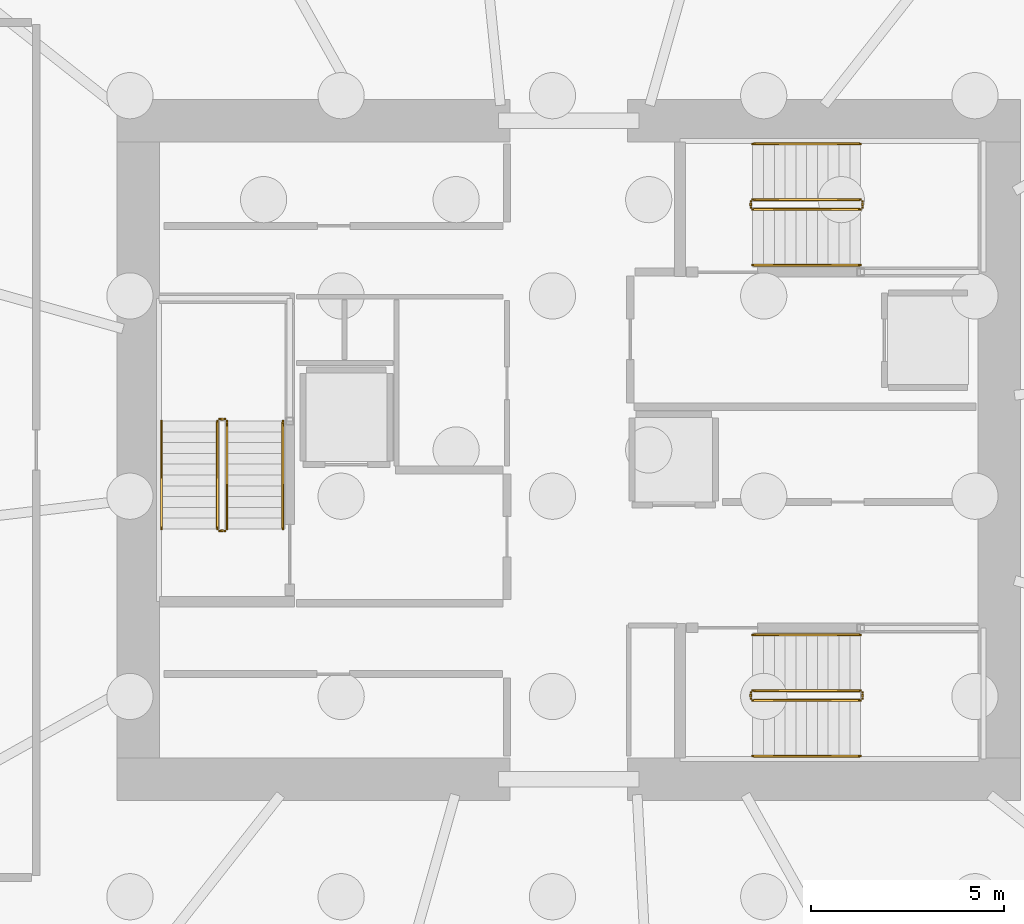
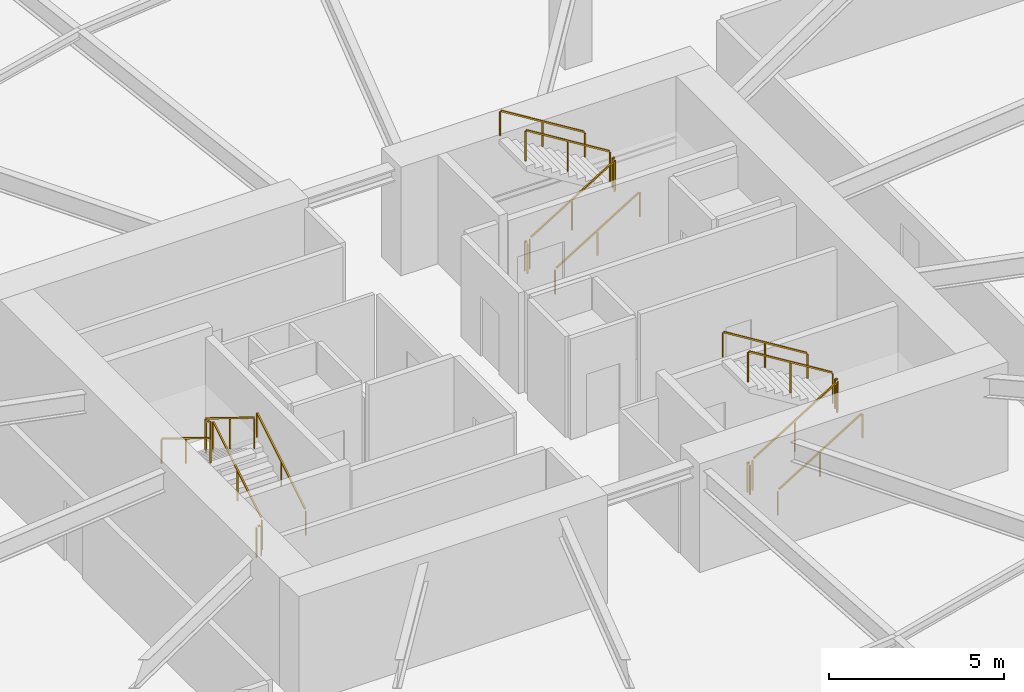
# One storey, part 11 of 12: 18 railings.
"""IFC4 building model written with IfcOpenShell, lengths in metres."""

from ifc_helpers import new_model, si_unit, direction, frame, origin, origin_2d, place, context, subcontext, project, spatial, rectangle, extrude, material, type_object, element, save


model = new_model("IFC4")

# Units and contexts
model_context = context("Model", 3, precision=1e-05, world=origin(), true_north=direction((0.0, 1.0)))
body_context = subcontext(model_context, "Body", "Model", "MODEL_VIEW")
ifc_project = project(units=[si_unit("LENGTHUNIT", "METRE"), si_unit("AREAUNIT", "SQUARE_METRE"), si_unit("VOLUMEUNIT", "CUBIC_METRE"), si_unit("PLANEANGLEUNIT", "RADIAN"), si_unit("MASSUNIT", "GRAM", prefix="KILO")], contexts=[model_context])

# Site, building, storey
site_placement = place(None, origin())
site = spatial("IfcSite", under=ifc_project, at=site_placement, CompositionType="ELEMENT")
building_placement = place(site_placement, origin())
building = spatial("IfcBuilding", under=site, at=building_placement, Name="Kazma Halo Residences", CompositionType="ELEMENT")
storey_placement = place(building_placement, frame((0.0, 0.0, -7.60009765625)))
storey = spatial("IfcBuildingStorey", under=building, at=storey_placement, Name="B02", CompositionType="ELEMENT", Elevation=-7.60009765625)

# Railings
ifc_material_1 = material(Name="Painted Steel S355", Category="steel")
railing_type_1 = type_object("IfcRailingType", Name="RLG-STAIR-GRD-1100", PredefinedType="GUARDRAIL", material=ifc_material_1)
railing_1_placement = place(storey_placement, frame((39.550048828125, 39.949951171875, 0.1728515625)))
element("IfcRailing", 1, at=railing_1_placement, inside=storey, type_object=railing_type_1, Name="B02 ST-01 stair guard 1", PredefinedType="GUARDRAIL", context=body_context, shape_type="SweptSolid", body=[
    extrude(rectangle(XDim=0.050048828125, YDim=0.050048828125, at=origin_2d()), frame((0.0, 0.0361328125, 1.097412109375), z_axis=(0.0, 0.851089632645, 0.525020415988), x_axis=(-1.0, 0.0, 0.0)), (0.0, 0.0, 1.0), 3.204833984375),
    extrude(rectangle(XDim=0.0400390625, YDim=0.0400390625, at=origin_2d()), origin(), (0.0, 0.0, 1.0), 1.0380859375),
    extrude(rectangle(XDim=0.0400390625, YDim=0.0400390625, at=origin_2d()), frame((0.0, 1.39990234375, 0.86376953125)), (0.0, 0.0, 1.0), 1.0380859375),
    extrude(rectangle(XDim=0.0400390625, YDim=0.0400390625, at=origin_2d()), frame((0.0, 2.800048828125, 1.727294921875)), (0.0, 0.0, 1.0), 1.0380859375),
])
railing_2_placement = place(storey_placement, frame((39.5, 42.800048828125, 1.900146484375)))
element("IfcRailing", 2, at=railing_2_placement, inside=storey, type_object=railing_type_1, Name="B02 ST-01 stair guard 2", PredefinedType="GUARDRAIL", context=body_context, shape_type="SweptSolid", body=[
    extrude(rectangle(XDim=0.050048828125, YDim=0.050048828125, at=origin_2d()), frame((-0.04248046875, 0.0, 1.0751953125), z_axis=(-1.0, 0.0, 0.0), x_axis=(0.0, -1.0, 0.0)), (0.0, 0.0, 1.0), 0.06494140625),
    extrude(rectangle(XDim=0.0400390625, YDim=0.0400390625, at=origin_2d()), origin(), (0.0, 0.0, 1.0), 1.0380859375),
    extrude(rectangle(XDim=0.0400390625, YDim=0.0400390625, at=origin_2d()), frame((-0.14990234375, 0.0, 0.0)), (0.0, 0.0, 1.0), 1.0380859375),
])
railing_3_placement = place(storey_placement, frame((39.300048828125, 42.75, 2.07275390625)))
element("IfcRailing", 3, at=railing_3_placement, inside=storey, type_object=railing_type_1, Name="B02 ST-01 stair guard 3", PredefinedType="GUARDRAIL", context=body_context, shape_type="SweptSolid", body=[
    extrude(rectangle(XDim=0.050048828125, YDim=0.050048828125, at=origin_2d()), frame((0.0, -0.0361328125, 1.097412109375), z_axis=(0.0, -0.851089632645, 0.525020415988), x_axis=(1.0, 0.0, 0.0)), (0.0, 0.0, 1.0), 3.204833984375),
    extrude(rectangle(XDim=0.0400390625, YDim=0.0400390625, at=origin_2d()), origin(), (0.0, 0.0, 1.0), 1.0380859375),
    extrude(rectangle(XDim=0.0400390625, YDim=0.0400390625, at=origin_2d()), frame((0.0, -1.39990234375, 0.86376953125)), (0.0, 0.0, 1.0), 1.0380859375),
    extrude(rectangle(XDim=0.0400390625, YDim=0.0400390625, at=origin_2d()), frame((0.0, -2.800048828125, 1.727294921875)), (0.0, 0.0, 1.0), 1.0380859375),
])
railing_4_placement = place(storey_placement, frame((39.5, 39.89990234375, 0.0)))
element("IfcRailing", 4, at=railing_4_placement, inside=storey, type_object=railing_type_1, Name="B02 ST-01 stair guard 4", PredefinedType="GUARDRAIL", context=body_context, shape_type="SweptSolid", body=[
    extrude(rectangle(XDim=0.050048828125, YDim=0.050048828125, at=origin_2d()), frame((-0.04248046875, 0.0, 1.0751953125), z_axis=(-1.0, 0.0, 0.0), x_axis=(0.0, -1.0, 0.0)), (0.0, 0.0, 1.0), 0.06494140625),
    extrude(rectangle(XDim=0.0400390625, YDim=0.0400390625, at=origin_2d()), origin(), (0.0, 0.0, 1.0), 1.0380859375),
    extrude(rectangle(XDim=0.0400390625, YDim=0.0400390625, at=origin_2d()), frame((-0.14990234375, 0.0, 0.0)), (0.0, 0.0, 1.0), 1.0380859375),
])
railing_5_placement = place(storey_placement, frame((53.199951171875, 48.25, 0.1728515625)))
element("IfcRailing", 5, at=railing_5_placement, inside=storey, type_object=railing_type_1, Name="B02 ST-02 stair guard 1", PredefinedType="GUARDRAIL", context=body_context, shape_type="SweptSolid", body=[
    extrude(rectangle(XDim=0.050048828125, YDim=0.050048828125, at=origin_2d()), frame((0.0361328125, 0.0, 1.097412109375), z_axis=(0.851089632645, 0.0, 0.525020415988), x_axis=(0.0, 1.0, 0.0)), (0.0, 0.0, 1.0), 3.204833984375),
    extrude(rectangle(XDim=0.0400390625, YDim=0.0400390625, at=origin_2d()), origin(), (0.0, 0.0, 1.0), 1.0380859375),
    extrude(rectangle(XDim=0.0400390625, YDim=0.0400390625, at=origin_2d()), frame((1.39990234375, 0.0, 0.86376953125)), (0.0, 0.0, 1.0), 1.0380859375),
    extrude(rectangle(XDim=0.0400390625, YDim=0.0400390625, at=origin_2d()), frame((2.800048828125, 0.0, 1.727294921875)), (0.0, 0.0, 1.0), 1.0380859375),
])
railing_6_placement = place(storey_placement, frame((56.050048828125, 48.300048828125, 1.900146484375)))
element("IfcRailing", 6, at=railing_6_placement, inside=storey, type_object=railing_type_1, Name="B02 ST-02 stair guard 2", PredefinedType="GUARDRAIL", context=body_context, shape_type="SweptSolid", body=[
    extrude(rectangle(XDim=0.050048828125, YDim=0.050048828125, at=origin_2d()), frame((0.0, 0.04248046875, 1.0751953125), z_axis=(0.0, 1.0, 0.0), x_axis=(-1.0, 0.0, 0.0)), (0.0, 0.0, 1.0), 0.06494140625),
    extrude(rectangle(XDim=0.0400390625, YDim=0.0400390625, at=origin_2d()), origin(), (0.0, 0.0, 1.0), 1.0380859375),
    extrude(rectangle(XDim=0.0400390625, YDim=0.0400390625, at=origin_2d()), frame((0.0, 0.14990234375, 0.0)), (0.0, 0.0, 1.0), 1.0380859375),
])
railing_7_placement = place(storey_placement, frame((56.0, 48.5, 2.07275390625)))
element("IfcRailing", 7, at=railing_7_placement, inside=storey, type_object=railing_type_1, Name="B02 ST-02 stair guard 3", PredefinedType="GUARDRAIL", context=body_context, shape_type="SweptSolid", body=[
    extrude(rectangle(XDim=0.050048828125, YDim=0.050048828125, at=origin_2d()), frame((-0.0361328125, 0.0, 1.097412109375), z_axis=(-0.851089632645, 0.0, 0.525020415988), x_axis=(0.0, -1.0, 0.0)), (0.0, 0.0, 1.0), 3.204833984375),
    extrude(rectangle(XDim=0.0400390625, YDim=0.0400390625, at=origin_2d()), origin(), (0.0, 0.0, 1.0), 1.0380859375),
    extrude(rectangle(XDim=0.0400390625, YDim=0.0400390625, at=origin_2d()), frame((-1.39990234375, 0.0, 0.86376953125)), (0.0, 0.0, 1.0), 1.0380859375),
    extrude(rectangle(XDim=0.0400390625, YDim=0.0400390625, at=origin_2d()), frame((-2.800048828125, 0.0, 1.727294921875)), (0.0, 0.0, 1.0), 1.0380859375),
])
railing_8_placement = place(storey_placement, frame((53.14990234375, 48.300048828125, 0.0)))
element("IfcRailing", 8, at=railing_8_placement, inside=storey, type_object=railing_type_1, Name="B02 ST-02 stair guard 4", PredefinedType="GUARDRAIL", context=body_context, shape_type="SweptSolid", body=[
    extrude(rectangle(XDim=0.050048828125, YDim=0.050048828125, at=origin_2d()), frame((0.0, 0.04248046875, 1.0751953125), z_axis=(0.0, 1.0, 0.0), x_axis=(-1.0, 0.0, 0.0)), (0.0, 0.0, 1.0), 0.06494140625),
    extrude(rectangle(XDim=0.0400390625, YDim=0.0400390625, at=origin_2d()), origin(), (0.0, 0.0, 1.0), 1.0380859375),
    extrude(rectangle(XDim=0.0400390625, YDim=0.0400390625, at=origin_2d()), frame((0.0, 0.14990234375, 0.0)), (0.0, 0.0, 1.0), 1.0380859375),
])
railing_9_placement = place(storey_placement, frame((53.199951171875, 35.5, 0.1728515625)))
element("IfcRailing", 9, at=railing_9_placement, inside=storey, type_object=railing_type_1, Name="B02 ST-03 stair guard 1", PredefinedType="GUARDRAIL", context=body_context, shape_type="SweptSolid", body=[
    extrude(rectangle(XDim=0.050048828125, YDim=0.050048828125, at=origin_2d()), frame((0.0361328125, 0.0, 1.097412109375), z_axis=(0.851089632645, 0.0, 0.525020415988), x_axis=(0.0, 1.0, 0.0)), (0.0, 0.0, 1.0), 3.204833984375),
    extrude(rectangle(XDim=0.0400390625, YDim=0.0400390625, at=origin_2d()), origin(), (0.0, 0.0, 1.0), 1.0380859375),
    extrude(rectangle(XDim=0.0400390625, YDim=0.0400390625, at=origin_2d()), frame((1.39990234375, 0.0, 0.86376953125)), (0.0, 0.0, 1.0), 1.0380859375),
    extrude(rectangle(XDim=0.0400390625, YDim=0.0400390625, at=origin_2d()), frame((2.800048828125, 0.0, 1.727294921875)), (0.0, 0.0, 1.0), 1.0380859375),
])
railing_10_placement = place(storey_placement, frame((56.050048828125, 35.550048828125, 1.900146484375)))
element("IfcRailing", 10, at=railing_10_placement, inside=storey, type_object=railing_type_1, Name="B02 ST-03 stair guard 2", PredefinedType="GUARDRAIL", context=body_context, shape_type="SweptSolid", body=[
    extrude(rectangle(XDim=0.050048828125, YDim=0.050048828125, at=origin_2d()), frame((0.0, 0.04248046875, 1.0751953125), z_axis=(0.0, 1.0, 0.0), x_axis=(-1.0, 0.0, 0.0)), (0.0, 0.0, 1.0), 0.06494140625),
    extrude(rectangle(XDim=0.0400390625, YDim=0.0400390625, at=origin_2d()), origin(), (0.0, 0.0, 1.0), 1.0380859375),
    extrude(rectangle(XDim=0.0400390625, YDim=0.0400390625, at=origin_2d()), frame((0.0, 0.14990234375, 0.0)), (0.0, 0.0, 1.0), 1.0380859375),
])
railing_11_placement = place(storey_placement, frame((56.0, 35.75, 2.07275390625)))
element("IfcRailing", 11, at=railing_11_placement, inside=storey, type_object=railing_type_1, Name="B02 ST-03 stair guard 3", PredefinedType="GUARDRAIL", context=body_context, shape_type="SweptSolid", body=[
    extrude(rectangle(XDim=0.050048828125, YDim=0.050048828125, at=origin_2d()), frame((-0.0361328125, 0.0, 1.097412109375), z_axis=(-0.851089632645, 0.0, 0.525020415988), x_axis=(0.0, -1.0, 0.0)), (0.0, 0.0, 1.0), 3.204833984375),
    extrude(rectangle(XDim=0.0400390625, YDim=0.0400390625, at=origin_2d()), origin(), (0.0, 0.0, 1.0), 1.0380859375),
    extrude(rectangle(XDim=0.0400390625, YDim=0.0400390625, at=origin_2d()), frame((-1.39990234375, 0.0, 0.86376953125)), (0.0, 0.0, 1.0), 1.0380859375),
    extrude(rectangle(XDim=0.0400390625, YDim=0.0400390625, at=origin_2d()), frame((-2.800048828125, 0.0, 1.727294921875)), (0.0, 0.0, 1.0), 1.0380859375),
])
railing_12_placement = place(storey_placement, frame((53.14990234375, 35.550048828125, 0.0)))
element("IfcRailing", 12, at=railing_12_placement, inside=storey, type_object=railing_type_1, Name="B02 ST-03 stair guard 4", PredefinedType="GUARDRAIL", context=body_context, shape_type="SweptSolid", body=[
    extrude(rectangle(XDim=0.050048828125, YDim=0.050048828125, at=origin_2d()), frame((0.0, 0.04248046875, 1.0751953125), z_axis=(0.0, 1.0, 0.0), x_axis=(-1.0, 0.0, 0.0)), (0.0, 0.0, 1.0), 0.06494140625),
    extrude(rectangle(XDim=0.0400390625, YDim=0.0400390625, at=origin_2d()), origin(), (0.0, 0.0, 1.0), 1.0380859375),
    extrude(rectangle(XDim=0.0400390625, YDim=0.0400390625, at=origin_2d()), frame((0.0, 0.14990234375, 0.0)), (0.0, 0.0, 1.0), 1.0380859375),
])
ifc_material_2 = material(Name="Brushed Stainless Steel", Category="steel")
railing_type_2 = type_object("IfcRailingType", Name="RLG-STAIR-HND-900", PredefinedType="HANDRAIL", material=ifc_material_2)
railing_13_placement = place(storey_placement, frame((41.0, 39.949951171875, 0.1728515625)))
element("IfcRailing", 13, at=railing_13_placement, inside=storey, type_object=railing_type_2, Name="B02 ST-01 stair handrail 1", PredefinedType="HANDRAIL", context=body_context, shape_type="SweptSolid", body=[
    extrude(rectangle(XDim=0.050048828125, YDim=0.050048828125, at=origin_2d()), frame((0.0, 0.0361328125, 0.897216796875), z_axis=(0.0, 0.851089632645, 0.525020415988), x_axis=(-1.0, 0.0, 0.0)), (0.0, 0.0, 1.0), 3.204833984375),
    extrude(rectangle(XDim=0.0400390625, YDim=0.0400390625, at=origin_2d()), origin(), (0.0, 0.0, 1.0), 0.837890625),
    extrude(rectangle(XDim=0.0400390625, YDim=0.0400390625, at=origin_2d()), frame((0.0, 1.39990234375, 0.86376953125)), (0.0, 0.0, 1.0), 0.837890625),
    extrude(rectangle(XDim=0.0400390625, YDim=0.0400390625, at=origin_2d()), frame((0.0, 2.800048828125, 1.727294921875)), (0.0, 0.0, 1.0), 0.837890625),
])
railing_14_placement = place(storey_placement, frame((37.85009765625, 42.75, 2.07275390625)))
element("IfcRailing", 14, at=railing_14_placement, inside=storey, type_object=railing_type_2, Name="B02 ST-01 stair handrail 2", PredefinedType="HANDRAIL", context=body_context, shape_type="SweptSolid", body=[
    extrude(rectangle(XDim=0.050048828125, YDim=0.050048828125, at=origin_2d()), frame((0.0, -0.0361328125, 0.897216796875), z_axis=(0.0, -0.851089632645, 0.525020415988), x_axis=(1.0, 0.0, 0.0)), (0.0, 0.0, 1.0), 3.204833984375),
    extrude(rectangle(XDim=0.0400390625, YDim=0.0400390625, at=origin_2d()), origin(), (0.0, 0.0, 1.0), 0.837890625),
    extrude(rectangle(XDim=0.0400390625, YDim=0.0400390625, at=origin_2d()), frame((0.0, -1.39990234375, 0.86376953125)), (0.0, 0.0, 1.0), 0.837890625),
    extrude(rectangle(XDim=0.0400390625, YDim=0.0400390625, at=origin_2d()), frame((0.0, -2.800048828125, 1.727294921875)), (0.0, 0.0, 1.0), 0.837890625),
])
railing_15_placement = place(storey_placement, frame((53.199951171875, 46.800048828125, 0.1728515625)))
element("IfcRailing", 15, at=railing_15_placement, inside=storey, type_object=railing_type_2, Name="B02 ST-02 stair handrail 1", PredefinedType="HANDRAIL", context=body_context, shape_type="SweptSolid", body=[
    extrude(rectangle(XDim=0.050048828125, YDim=0.050048828125, at=origin_2d()), frame((0.0361328125, 0.0, 0.897216796875), z_axis=(0.851089632645, 0.0, 0.525020415988), x_axis=(0.0, 1.0, 0.0)), (0.0, 0.0, 1.0), 3.204833984375),
    extrude(rectangle(XDim=0.0400390625, YDim=0.0400390625, at=origin_2d()), origin(), (0.0, 0.0, 1.0), 0.837890625),
    extrude(rectangle(XDim=0.0400390625, YDim=0.0400390625, at=origin_2d()), frame((1.39990234375, 0.0, 0.86376953125)), (0.0, 0.0, 1.0), 0.837890625),
    extrude(rectangle(XDim=0.0400390625, YDim=0.0400390625, at=origin_2d()), frame((2.800048828125, 0.0, 1.727294921875)), (0.0, 0.0, 1.0), 0.837890625),
])
railing_16_placement = place(storey_placement, frame((56.0, 49.949951171875, 2.07275390625)))
element("IfcRailing", 16, at=railing_16_placement, inside=storey, type_object=railing_type_2, Name="B02 ST-02 stair handrail 2", PredefinedType="HANDRAIL", context=body_context, shape_type="SweptSolid", body=[
    extrude(rectangle(XDim=0.050048828125, YDim=0.050048828125, at=origin_2d()), frame((-0.0361328125, 0.0, 0.897216796875), z_axis=(-0.851089632645, 0.0, 0.525020415988), x_axis=(0.0, -1.0, 0.0)), (0.0, 0.0, 1.0), 3.204833984375),
    extrude(rectangle(XDim=0.0400390625, YDim=0.0400390625, at=origin_2d()), origin(), (0.0, 0.0, 1.0), 0.837890625),
    extrude(rectangle(XDim=0.0400390625, YDim=0.0400390625, at=origin_2d()), frame((-1.39990234375, 0.0, 0.86376953125)), (0.0, 0.0, 1.0), 0.837890625),
    extrude(rectangle(XDim=0.0400390625, YDim=0.0400390625, at=origin_2d()), frame((-2.800048828125, 0.0, 1.727294921875)), (0.0, 0.0, 1.0), 0.837890625),
])
railing_17_placement = place(storey_placement, frame((53.199951171875, 34.050048828125, 0.1728515625)))
element("IfcRailing", 17, at=railing_17_placement, inside=storey, type_object=railing_type_2, Name="B02 ST-03 stair handrail 1", PredefinedType="HANDRAIL", context=body_context, shape_type="SweptSolid", body=[
    extrude(rectangle(XDim=0.050048828125, YDim=0.050048828125, at=origin_2d()), frame((0.0361328125, 0.0, 0.897216796875), z_axis=(0.851089632645, 0.0, 0.525020415988), x_axis=(0.0, 1.0, 0.0)), (0.0, 0.0, 1.0), 3.204833984375),
    extrude(rectangle(XDim=0.0400390625, YDim=0.0400390625, at=origin_2d()), origin(), (0.0, 0.0, 1.0), 0.837890625),
    extrude(rectangle(XDim=0.0400390625, YDim=0.0400390625, at=origin_2d()), frame((1.39990234375, 0.0, 0.86376953125)), (0.0, 0.0, 1.0), 0.837890625),
    extrude(rectangle(XDim=0.0400390625, YDim=0.0400390625, at=origin_2d()), frame((2.800048828125, 0.0, 1.727294921875)), (0.0, 0.0, 1.0), 0.837890625),
])
railing_18_placement = place(storey_placement, frame((56.0, 37.199951171875, 2.07275390625)))
element("IfcRailing", 18, at=railing_18_placement, inside=storey, type_object=railing_type_2, Name="B02 ST-03 stair handrail 2", PredefinedType="HANDRAIL", context=body_context, shape_type="SweptSolid", body=[
    extrude(rectangle(XDim=0.050048828125, YDim=0.050048828125, at=origin_2d()), frame((-0.0361328125, 0.0, 0.897216796875), z_axis=(-0.851089632645, 0.0, 0.525020415988), x_axis=(0.0, -1.0, 0.0)), (0.0, 0.0, 1.0), 3.204833984375),
    extrude(rectangle(XDim=0.0400390625, YDim=0.0400390625, at=origin_2d()), origin(), (0.0, 0.0, 1.0), 0.837890625),
    extrude(rectangle(XDim=0.0400390625, YDim=0.0400390625, at=origin_2d()), frame((-1.39990234375, 0.0, 0.86376953125)), (0.0, 0.0, 1.0), 0.837890625),
    extrude(rectangle(XDim=0.0400390625, YDim=0.0400390625, at=origin_2d()), frame((-2.800048828125, 0.0, 1.727294921875)), (0.0, 0.0, 1.0), 0.837890625),
])

save(model, "model.ifc")
